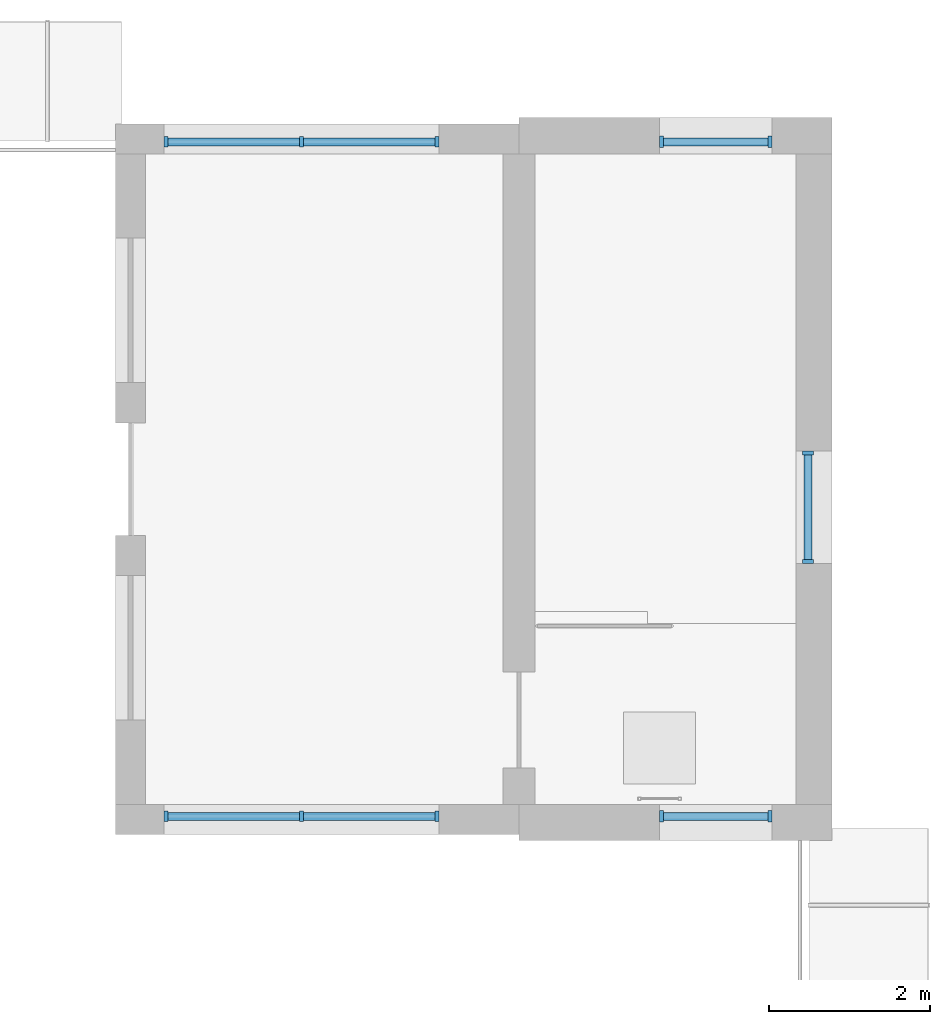
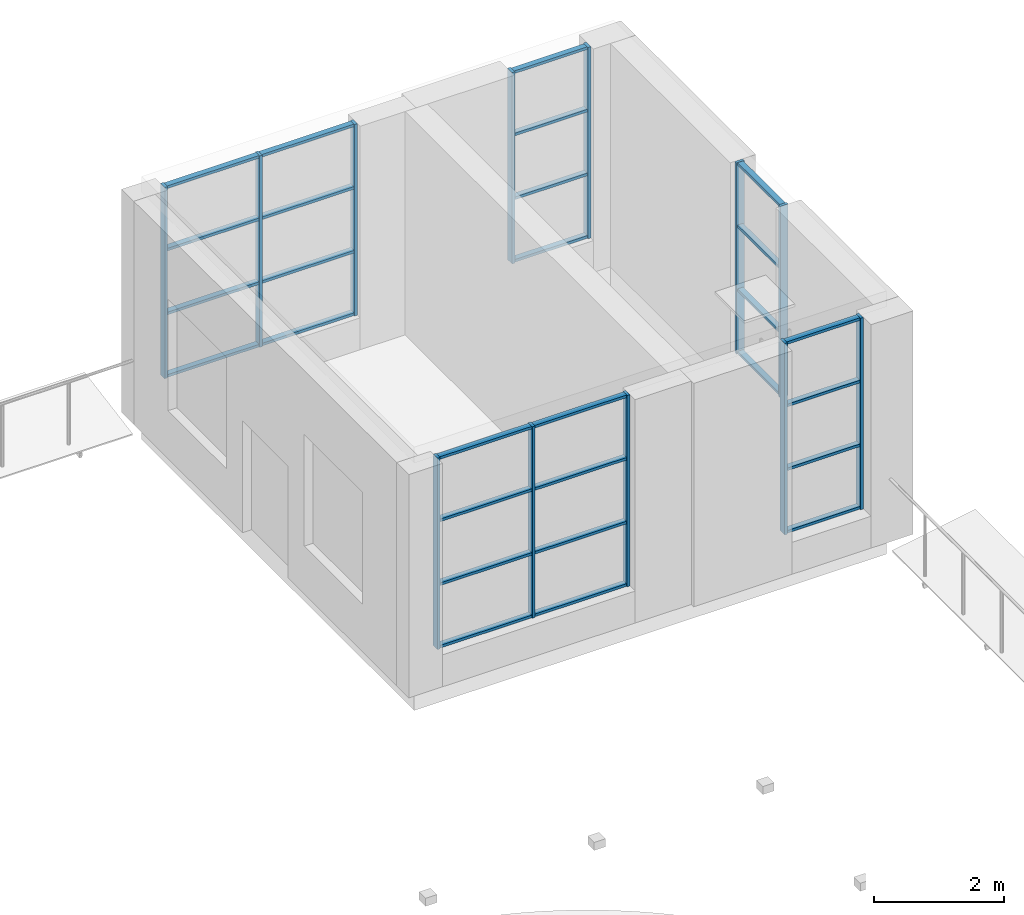
# One storey, part 24 of 66: 40 members, 5 elements without a shape of their own.
"""IFC4 building model written with IfcOpenShell, lengths in metres."""

from ifc_helpers import new_model, si_unit, direction, frame, origin, origin_2d, place, context, subcontext, project, spatial, rectangle, extrude, material, material_profile, profile_set, type_object, element, aggregate, save


model = new_model("IFC4")

# Units and contexts
model_context = context("Model", 3, precision=1e-05, world=origin(), true_north=direction((0.0, 1.0)))
body_context = subcontext(model_context, "Body", "Model", "MODEL_VIEW")
ifc_project = project(units=[si_unit("LENGTHUNIT", "METRE"), si_unit("AREAUNIT", "SQUARE_METRE"), si_unit("VOLUMEUNIT", "CUBIC_METRE"), si_unit("PLANEANGLEUNIT", "RADIAN"), si_unit("MASSUNIT", "GRAM", prefix="KILO")], contexts=[model_context])

# Site, building, storey
site_placement = place(None, origin())
site = spatial("IfcSite", under=ifc_project, at=site_placement, CompositionType="ELEMENT")
building_placement = place(site_placement, origin())
building = spatial("IfcBuilding", under=site, at=building_placement, Name="Yavir Park General Hospital", CompositionType="ELEMENT")
storey_placement = place(building_placement, frame((0.0, 0.0, 8.39990234375)))
storey = spatial("IfcBuildingStorey", under=building, at=storey_placement, Name="L02", CompositionType="ELEMENT", Elevation=8.39990234375)

# Curtain wall, members
ifc_material_1 = material(Name="Aluminium curtain wall frame with insulated glazing", Category="aluminium")
curtain_wall_type_1 = type_object("IfcCurtainWallType", Name="Clinical corridor end glazing, 3600 high, 1400 module", PredefinedType="NOTDEFINED", material=ifc_material_1)
curtain_wall_1_placement = place(storey_placement, origin())
curtain_wall_1 = element("IfcCurtainWall", 1, at=curtain_wall_1_placement, inside=storey, type_object=curtain_wall_type_1, Name="CW59 L02-014", PredefinedType="NOTDEFINED")
ifc_material_2 = material(Name="Aluminium", Category="aluminium")
ifc_material_profile_1 = material_profile(ifc_material_2, rectangle(XDim=0.1298828125, YDim=0.050048828125, at=origin_2d()), Name="AL 50x130")
ifc_profile_set_1 = profile_set([ifc_material_profile_1], Name="Aluminium")
member_type_1 = type_object("IfcMemberType", Name="Clinical corridor end glazing, 3600 high mullion 50 x 130", PredefinedType="MULLION", material=ifc_profile_set_1)
member_1_placement = place(storey_placement, frame((160.0, 109.199951171875, 0.60009765625), z_axis=(0.0, 0.0, 1.0), x_axis=(0.0, 1.0, 0.0)))
member_1 = element("IfcMember", 2, at=member_1_placement, type_object=member_type_1, Name="CW59 mullion 1", PredefinedType="MULLION", context=body_context, shape_type="SweptSolid", body=[
    extrude(rectangle(XDim=0.1298828125, YDim=0.050048828125, at=origin_2d()), origin(), (0.0, 0.0, 1.0), 3.60009765625),
])
member_2_placement = place(storey_placement, frame((161.6875, 109.199951171875, 0.60009765625), z_axis=(0.0, 0.0, 1.0), x_axis=(0.0, 1.0, 0.0)))
member_2 = element("IfcMember", 3, at=member_2_placement, type_object=member_type_1, Name="CW59 mullion 2", PredefinedType="MULLION", context=body_context, shape_type="SweptSolid", body=[
    extrude(rectangle(XDim=0.1298828125, YDim=0.050048828125, at=origin_2d()), origin(), (0.0, 0.0, 1.0), 3.60009765625),
])
member_3_placement = place(storey_placement, frame((163.375, 109.199951171875, 0.60009765625), z_axis=(0.0, 0.0, 1.0), x_axis=(0.0, 1.0, 0.0)))
member_3 = element("IfcMember", 4, at=member_3_placement, type_object=member_type_1, Name="CW59 mullion 3", PredefinedType="MULLION", context=body_context, shape_type="SweptSolid", body=[
    extrude(rectangle(XDim=0.1298828125, YDim=0.050048828125, at=origin_2d()), origin(), (0.0, 0.0, 1.0), 3.60009765625),
])

curtain_wall_2_placement = place(storey_placement, origin())
curtain_wall_2 = element("IfcCurtainWall", 5, at=curtain_wall_2_placement, inside=storey, type_object=curtain_wall_type_1, Name="CW59 L02-018", PredefinedType="NOTDEFINED")
member_4_placement = place(storey_placement, frame((160.0, 117.60009765625, 0.60009765625), z_axis=(0.0, 0.0, 1.0), x_axis=(0.0, 1.0, 0.0)))
member_4 = element("IfcMember", 6, at=member_4_placement, type_object=member_type_1, Name="CW59 mullion 1", PredefinedType="MULLION", context=body_context, shape_type="SweptSolid", body=[
    extrude(rectangle(XDim=0.1298828125, YDim=0.050048828125, at=origin_2d()), origin(), (0.0, 0.0, 1.0), 3.60009765625),
])
member_5_placement = place(storey_placement, frame((161.6875, 117.60009765625, 0.60009765625), z_axis=(0.0, 0.0, 1.0), x_axis=(0.0, 1.0, 0.0)))
member_5 = element("IfcMember", 7, at=member_5_placement, type_object=member_type_1, Name="CW59 mullion 2", PredefinedType="MULLION", context=body_context, shape_type="SweptSolid", body=[
    extrude(rectangle(XDim=0.1298828125, YDim=0.050048828125, at=origin_2d()), origin(), (0.0, 0.0, 1.0), 3.60009765625),
])
member_6_placement = place(storey_placement, frame((163.375, 117.60009765625, 0.60009765625), z_axis=(0.0, 0.0, 1.0), x_axis=(0.0, 1.0, 0.0)))
member_6 = element("IfcMember", 8, at=member_6_placement, type_object=member_type_1, Name="CW59 mullion 3", PredefinedType="MULLION", context=body_context, shape_type="SweptSolid", body=[
    extrude(rectangle(XDim=0.1298828125, YDim=0.050048828125, at=origin_2d()), origin(), (0.0, 0.0, 1.0), 3.60009765625),
])

# Member
ifc_material_3 = material(Name="Aluminium", Category="aluminium")
ifc_material_profile_2 = material_profile(ifc_material_3, rectangle(XDim=0.10009765625, YDim=0.050048828125, at=origin_2d()), Name="AL 100x50")
ifc_profile_set_2 = profile_set([ifc_material_profile_2], Name="Aluminium")
member_type_2 = type_object("IfcMemberType", Name="Clinical corridor end glazing, 3600 high transom 50 x 100", PredefinedType="MULLION", material=ifc_profile_set_2)
member_7_placement = place(storey_placement, frame((160.02490234375, 109.199951171875, 0.625), z_axis=(1.0, 0.0, 0.0), x_axis=(0.0, 1.0, 0.0)))
member_7 = element("IfcMember", 9, at=member_7_placement, type_object=member_type_2, Name="CW59 transom 1.1", PredefinedType="MULLION", context=body_context, shape_type="SweptSolid", body=[
    extrude(rectangle(XDim=0.10009765625, YDim=0.050048828125, at=origin_2d()), origin(), (0.0, 0.0, 1.0), 1.6376953125),
])

member_8_placement = place(storey_placement, frame((160.02490234375, 109.199951171875, 1.800048828125), z_axis=(1.0, 0.0, 0.0), x_axis=(0.0, 1.0, 0.0)))
member_8 = element("IfcMember", 10, at=member_8_placement, type_object=member_type_2, Name="CW59 transom 1.2", PredefinedType="MULLION", context=body_context, shape_type="SweptSolid", body=[
    extrude(rectangle(XDim=0.10009765625, YDim=0.050048828125, at=origin_2d()), origin(), (0.0, 0.0, 1.0), 1.6376953125),
])

member_9_placement = place(storey_placement, frame((160.02490234375, 109.199951171875, 3.0), z_axis=(1.0, 0.0, 0.0), x_axis=(0.0, 1.0, 0.0)))
member_9 = element("IfcMember", 11, at=member_9_placement, type_object=member_type_2, Name="CW59 transom 1.3", PredefinedType="MULLION", context=body_context, shape_type="SweptSolid", body=[
    extrude(rectangle(XDim=0.10009765625, YDim=0.050048828125, at=origin_2d()), origin(), (0.0, 0.0, 1.0), 1.6376953125),
])

member_10_placement = place(storey_placement, frame((160.02490234375, 109.199951171875, 4.175048828125), z_axis=(1.0, 0.0, 0.0), x_axis=(0.0, 1.0, 0.0)))
member_10 = element("IfcMember", 12, at=member_10_placement, type_object=member_type_2, Name="CW59 transom 1.4", PredefinedType="MULLION", context=body_context, shape_type="SweptSolid", body=[
    extrude(rectangle(XDim=0.10009765625, YDim=0.050048828125, at=origin_2d()), origin(), (0.0, 0.0, 1.0), 1.6376953125),
])

member_11_placement = place(storey_placement, frame((161.71240234375, 109.199951171875, 0.625), z_axis=(1.0, 0.0, 0.0), x_axis=(0.0, 1.0, 0.0)))
member_11 = element("IfcMember", 13, at=member_11_placement, type_object=member_type_2, Name="CW59 transom 2.1", PredefinedType="MULLION", context=body_context, shape_type="SweptSolid", body=[
    extrude(rectangle(XDim=0.10009765625, YDim=0.050048828125, at=origin_2d()), origin(), (0.0, 0.0, 1.0), 1.6376953125),
])

member_12_placement = place(storey_placement, frame((161.71240234375, 109.199951171875, 1.800048828125), z_axis=(1.0, 0.0, 0.0), x_axis=(0.0, 1.0, 0.0)))
member_12 = element("IfcMember", 14, at=member_12_placement, type_object=member_type_2, Name="CW59 transom 2.2", PredefinedType="MULLION", context=body_context, shape_type="SweptSolid", body=[
    extrude(rectangle(XDim=0.10009765625, YDim=0.050048828125, at=origin_2d()), origin(), (0.0, 0.0, 1.0), 1.6376953125),
])

member_13_placement = place(storey_placement, frame((161.71240234375, 109.199951171875, 3.0), z_axis=(1.0, 0.0, 0.0), x_axis=(0.0, 1.0, 0.0)))
member_13 = element("IfcMember", 15, at=member_13_placement, type_object=member_type_2, Name="CW59 transom 2.3", PredefinedType="MULLION", context=body_context, shape_type="SweptSolid", body=[
    extrude(rectangle(XDim=0.10009765625, YDim=0.050048828125, at=origin_2d()), origin(), (0.0, 0.0, 1.0), 1.6376953125),
])

member_14_placement = place(storey_placement, frame((161.71240234375, 109.199951171875, 4.175048828125), z_axis=(1.0, 0.0, 0.0), x_axis=(0.0, 1.0, 0.0)))
member_14 = element("IfcMember", 16, at=member_14_placement, type_object=member_type_2, Name="CW59 transom 2.4", PredefinedType="MULLION", context=body_context, shape_type="SweptSolid", body=[
    extrude(rectangle(XDim=0.10009765625, YDim=0.050048828125, at=origin_2d()), origin(), (0.0, 0.0, 1.0), 1.6376953125),
])

aggregate(curtain_wall_1, [member_1, member_2, member_3, member_7, member_8, member_9, member_10, member_11, member_12, member_13, member_14])

member_15_placement = place(storey_placement, frame((160.02490234375, 117.60009765625, 0.625), z_axis=(1.0, 0.0, 0.0), x_axis=(0.0, 1.0, 0.0)))
member_15 = element("IfcMember", 17, at=member_15_placement, type_object=member_type_2, Name="CW59 transom 1.1", PredefinedType="MULLION", context=body_context, shape_type="SweptSolid", body=[
    extrude(rectangle(XDim=0.10009765625, YDim=0.050048828125, at=origin_2d()), origin(), (0.0, 0.0, 1.0), 1.6376953125),
])

member_16_placement = place(storey_placement, frame((160.02490234375, 117.60009765625, 1.800048828125), z_axis=(1.0, 0.0, 0.0), x_axis=(0.0, 1.0, 0.0)))
member_16 = element("IfcMember", 18, at=member_16_placement, type_object=member_type_2, Name="CW59 transom 1.2", PredefinedType="MULLION", context=body_context, shape_type="SweptSolid", body=[
    extrude(rectangle(XDim=0.10009765625, YDim=0.050048828125, at=origin_2d()), origin(), (0.0, 0.0, 1.0), 1.6376953125),
])

member_17_placement = place(storey_placement, frame((160.02490234375, 117.60009765625, 3.0), z_axis=(1.0, 0.0, 0.0), x_axis=(0.0, 1.0, 0.0)))
member_17 = element("IfcMember", 19, at=member_17_placement, type_object=member_type_2, Name="CW59 transom 1.3", PredefinedType="MULLION", context=body_context, shape_type="SweptSolid", body=[
    extrude(rectangle(XDim=0.10009765625, YDim=0.050048828125, at=origin_2d()), origin(), (0.0, 0.0, 1.0), 1.6376953125),
])

member_18_placement = place(storey_placement, frame((160.02490234375, 117.60009765625, 4.175048828125), z_axis=(1.0, 0.0, 0.0), x_axis=(0.0, 1.0, 0.0)))
member_18 = element("IfcMember", 20, at=member_18_placement, type_object=member_type_2, Name="CW59 transom 1.4", PredefinedType="MULLION", context=body_context, shape_type="SweptSolid", body=[
    extrude(rectangle(XDim=0.10009765625, YDim=0.050048828125, at=origin_2d()), origin(), (0.0, 0.0, 1.0), 1.6376953125),
])

member_19_placement = place(storey_placement, frame((161.71240234375, 117.60009765625, 0.625), z_axis=(1.0, 0.0, 0.0), x_axis=(0.0, 1.0, 0.0)))
member_19 = element("IfcMember", 21, at=member_19_placement, type_object=member_type_2, Name="CW59 transom 2.1", PredefinedType="MULLION", context=body_context, shape_type="SweptSolid", body=[
    extrude(rectangle(XDim=0.10009765625, YDim=0.050048828125, at=origin_2d()), origin(), (0.0, 0.0, 1.0), 1.6376953125),
])

member_20_placement = place(storey_placement, frame((161.71240234375, 117.60009765625, 1.800048828125), z_axis=(1.0, 0.0, 0.0), x_axis=(0.0, 1.0, 0.0)))
member_20 = element("IfcMember", 22, at=member_20_placement, type_object=member_type_2, Name="CW59 transom 2.2", PredefinedType="MULLION", context=body_context, shape_type="SweptSolid", body=[
    extrude(rectangle(XDim=0.10009765625, YDim=0.050048828125, at=origin_2d()), origin(), (0.0, 0.0, 1.0), 1.6376953125),
])

member_21_placement = place(storey_placement, frame((161.71240234375, 117.60009765625, 3.0), z_axis=(1.0, 0.0, 0.0), x_axis=(0.0, 1.0, 0.0)))
member_21 = element("IfcMember", 23, at=member_21_placement, type_object=member_type_2, Name="CW59 transom 2.3", PredefinedType="MULLION", context=body_context, shape_type="SweptSolid", body=[
    extrude(rectangle(XDim=0.10009765625, YDim=0.050048828125, at=origin_2d()), origin(), (0.0, 0.0, 1.0), 1.6376953125),
])

member_22_placement = place(storey_placement, frame((161.71240234375, 117.60009765625, 4.175048828125), z_axis=(1.0, 0.0, 0.0), x_axis=(0.0, 1.0, 0.0)))
member_22 = element("IfcMember", 24, at=member_22_placement, type_object=member_type_2, Name="CW59 transom 2.4", PredefinedType="MULLION", context=body_context, shape_type="SweptSolid", body=[
    extrude(rectangle(XDim=0.10009765625, YDim=0.050048828125, at=origin_2d()), origin(), (0.0, 0.0, 1.0), 1.6376953125),
])

aggregate(curtain_wall_2, [member_4, member_5, member_6, member_15, member_16, member_17, member_18, member_19, member_20, member_21, member_22])

# Curtain wall, members
ifc_material_4 = material(Name="Aluminium curtain wall frame with insulated glazing", Category="aluminium")
curtain_wall_type_2 = type_object("IfcCurtainWallType", Name="Stair light slot, podium, 3600 high, 1400 module", PredefinedType="NOTDEFINED", material=ifc_material_4)
curtain_wall_3_placement = place(storey_placement, origin())
curtain_wall_3 = element("IfcCurtainWall", 25, at=curtain_wall_3_placement, inside=storey, type_object=curtain_wall_type_2, Name="CW57 L02-015", PredefinedType="NOTDEFINED")
ifc_material_5 = material(Name="Aluminium", Category="aluminium")
ifc_material_profile_3 = material_profile(ifc_material_5, rectangle(XDim=0.139892578125, YDim=0.050048828125, at=origin_2d()), Name="AL 50x140")
ifc_profile_set_3 = profile_set([ifc_material_profile_3], Name="Aluminium")
member_type_3 = type_object("IfcMemberType", Name="Stair light slot, podium, 3600 high mullion 50 x 140", PredefinedType="MULLION", material=ifc_profile_set_3)
member_23_placement = place(storey_placement, frame((166.175048828125, 109.199951171875, 0.60009765625), z_axis=(0.0, 0.0, 1.0), x_axis=(0.0, 1.0, 0.0)))
member_23 = element("IfcMember", 26, at=member_23_placement, type_object=member_type_3, Name="CW57 mullion 1", PredefinedType="MULLION", context=body_context, shape_type="SweptSolid", body=[
    extrude(rectangle(XDim=0.139892578125, YDim=0.050048828125, at=origin_2d()), origin(), (0.0, 0.0, 1.0), 3.60009765625),
])
member_24_placement = place(storey_placement, frame((167.52490234375, 109.199951171875, 0.60009765625), z_axis=(0.0, 0.0, 1.0), x_axis=(0.0, 1.0, 0.0)))
member_24 = element("IfcMember", 27, at=member_24_placement, type_object=member_type_3, Name="CW57 mullion 2", PredefinedType="MULLION", context=body_context, shape_type="SweptSolid", body=[
    extrude(rectangle(XDim=0.139892578125, YDim=0.050048828125, at=origin_2d()), origin(), (0.0, 0.0, 1.0), 3.60009765625),
])

curtain_wall_4_placement = place(storey_placement, origin())
curtain_wall_4 = element("IfcCurtainWall", 28, at=curtain_wall_4_placement, inside=storey, type_object=curtain_wall_type_2, Name="CW57 L02-019", PredefinedType="NOTDEFINED")
member_25_placement = place(storey_placement, frame((166.175048828125, 117.60009765625, 0.60009765625), z_axis=(0.0, 0.0, 1.0), x_axis=(0.0, 1.0, 0.0)))
member_25 = element("IfcMember", 29, at=member_25_placement, type_object=member_type_3, Name="CW57 mullion 1", PredefinedType="MULLION", context=body_context, shape_type="SweptSolid", body=[
    extrude(rectangle(XDim=0.139892578125, YDim=0.050048828125, at=origin_2d()), origin(), (0.0, 0.0, 1.0), 3.60009765625),
])
member_26_placement = place(storey_placement, frame((167.52490234375, 117.60009765625, 0.60009765625), z_axis=(0.0, 0.0, 1.0), x_axis=(0.0, 1.0, 0.0)))
member_26 = element("IfcMember", 30, at=member_26_placement, type_object=member_type_3, Name="CW57 mullion 2", PredefinedType="MULLION", context=body_context, shape_type="SweptSolid", body=[
    extrude(rectangle(XDim=0.139892578125, YDim=0.050048828125, at=origin_2d()), origin(), (0.0, 0.0, 1.0), 3.60009765625),
])

curtain_wall_5_placement = place(storey_placement, origin())
curtain_wall_5 = element("IfcCurtainWall", 31, at=curtain_wall_5_placement, inside=storey, type_object=curtain_wall_type_2, Name="CW57 L02-027", PredefinedType="NOTDEFINED")
member_27_placement = place(storey_placement, frame((168.0, 112.375, 0.60009765625), z_axis=(0.0, 0.0, 1.0), x_axis=(-1.0, 0.0, 0.0)))
member_27 = element("IfcMember", 32, at=member_27_placement, type_object=member_type_3, Name="CW57 mullion 1", PredefinedType="MULLION", context=body_context, shape_type="SweptSolid", body=[
    extrude(rectangle(XDim=0.139892578125, YDim=0.050048828125, at=origin_2d()), origin(), (0.0, 0.0, 1.0), 3.60009765625),
])
member_28_placement = place(storey_placement, frame((168.0, 113.72509765625, 0.60009765625), z_axis=(0.0, 0.0, 1.0), x_axis=(-1.0, 0.0, 0.0)))
member_28 = element("IfcMember", 33, at=member_28_placement, type_object=member_type_3, Name="CW57 mullion 2", PredefinedType="MULLION", context=body_context, shape_type="SweptSolid", body=[
    extrude(rectangle(XDim=0.139892578125, YDim=0.050048828125, at=origin_2d()), origin(), (0.0, 0.0, 1.0), 3.60009765625),
])

# Member
ifc_material_6 = material(Name="Aluminium", Category="aluminium")
ifc_material_profile_4 = material_profile(ifc_material_6, rectangle(XDim=0.10009765625, YDim=0.050048828125, at=origin_2d()), Name="AL 100x50")
ifc_profile_set_4 = profile_set([ifc_material_profile_4], Name="Aluminium")
member_type_4 = type_object("IfcMemberType", Name="Stair light slot, podium, 3600 high transom 50 x 100", PredefinedType="MULLION", material=ifc_profile_set_4)
member_29_placement = place(storey_placement, frame((166.199951171875, 109.199951171875, 0.625), z_axis=(1.0, 0.0, 0.0), x_axis=(0.0, 1.0, 0.0)))
member_29 = element("IfcMember", 34, at=member_29_placement, type_object=member_type_4, Name="CW57 transom 1.1", PredefinedType="MULLION", context=body_context, shape_type="SweptSolid", body=[
    extrude(rectangle(XDim=0.10009765625, YDim=0.050048828125, at=origin_2d()), origin(), (0.0, 0.0, 1.0), 1.300048828125),
])

member_30_placement = place(storey_placement, frame((166.199951171875, 109.199951171875, 1.800048828125), z_axis=(1.0, 0.0, 0.0), x_axis=(0.0, 1.0, 0.0)))
member_30 = element("IfcMember", 35, at=member_30_placement, type_object=member_type_4, Name="CW57 transom 1.2", PredefinedType="MULLION", context=body_context, shape_type="SweptSolid", body=[
    extrude(rectangle(XDim=0.10009765625, YDim=0.050048828125, at=origin_2d()), origin(), (0.0, 0.0, 1.0), 1.300048828125),
])

member_31_placement = place(storey_placement, frame((166.199951171875, 109.199951171875, 3.0), z_axis=(1.0, 0.0, 0.0), x_axis=(0.0, 1.0, 0.0)))
member_31 = element("IfcMember", 36, at=member_31_placement, type_object=member_type_4, Name="CW57 transom 1.3", PredefinedType="MULLION", context=body_context, shape_type="SweptSolid", body=[
    extrude(rectangle(XDim=0.10009765625, YDim=0.050048828125, at=origin_2d()), origin(), (0.0, 0.0, 1.0), 1.300048828125),
])

member_32_placement = place(storey_placement, frame((166.199951171875, 109.199951171875, 4.175048828125), z_axis=(1.0, 0.0, 0.0), x_axis=(0.0, 1.0, 0.0)))
member_32 = element("IfcMember", 37, at=member_32_placement, type_object=member_type_4, Name="CW57 transom 1.4", PredefinedType="MULLION", context=body_context, shape_type="SweptSolid", body=[
    extrude(rectangle(XDim=0.10009765625, YDim=0.050048828125, at=origin_2d()), origin(), (0.0, 0.0, 1.0), 1.300048828125),
])

aggregate(curtain_wall_3, [member_23, member_24, member_29, member_30, member_31, member_32])

member_33_placement = place(storey_placement, frame((166.199951171875, 117.60009765625, 0.625), z_axis=(1.0, 0.0, 0.0), x_axis=(0.0, 1.0, 0.0)))
member_33 = element("IfcMember", 38, at=member_33_placement, type_object=member_type_4, Name="CW57 transom 1.1", PredefinedType="MULLION", context=body_context, shape_type="SweptSolid", body=[
    extrude(rectangle(XDim=0.10009765625, YDim=0.050048828125, at=origin_2d()), origin(), (0.0, 0.0, 1.0), 1.300048828125),
])

member_34_placement = place(storey_placement, frame((166.199951171875, 117.60009765625, 1.800048828125), z_axis=(1.0, 0.0, 0.0), x_axis=(0.0, 1.0, 0.0)))
member_34 = element("IfcMember", 39, at=member_34_placement, type_object=member_type_4, Name="CW57 transom 1.2", PredefinedType="MULLION", context=body_context, shape_type="SweptSolid", body=[
    extrude(rectangle(XDim=0.10009765625, YDim=0.050048828125, at=origin_2d()), origin(), (0.0, 0.0, 1.0), 1.300048828125),
])

member_35_placement = place(storey_placement, frame((166.199951171875, 117.60009765625, 3.0), z_axis=(1.0, 0.0, 0.0), x_axis=(0.0, 1.0, 0.0)))
member_35 = element("IfcMember", 40, at=member_35_placement, type_object=member_type_4, Name="CW57 transom 1.3", PredefinedType="MULLION", context=body_context, shape_type="SweptSolid", body=[
    extrude(rectangle(XDim=0.10009765625, YDim=0.050048828125, at=origin_2d()), origin(), (0.0, 0.0, 1.0), 1.300048828125),
])

member_36_placement = place(storey_placement, frame((166.199951171875, 117.60009765625, 4.175048828125), z_axis=(1.0, 0.0, 0.0), x_axis=(0.0, 1.0, 0.0)))
member_36 = element("IfcMember", 41, at=member_36_placement, type_object=member_type_4, Name="CW57 transom 1.4", PredefinedType="MULLION", context=body_context, shape_type="SweptSolid", body=[
    extrude(rectangle(XDim=0.10009765625, YDim=0.050048828125, at=origin_2d()), origin(), (0.0, 0.0, 1.0), 1.300048828125),
])

aggregate(curtain_wall_4, [member_25, member_26, member_33, member_34, member_35, member_36])

member_37_placement = place(storey_placement, frame((168.0, 112.39990234375, 0.625), z_axis=(0.0, 1.0, 0.0), x_axis=(-1.0, 0.0, 0.0)))
member_37 = element("IfcMember", 42, at=member_37_placement, type_object=member_type_4, Name="CW57 transom 1.1", PredefinedType="MULLION", context=body_context, shape_type="SweptSolid", body=[
    extrude(rectangle(XDim=0.10009765625, YDim=0.050048828125, at=origin_2d()), origin(), (0.0, 0.0, 1.0), 1.300048828125),
])

member_38_placement = place(storey_placement, frame((168.0, 112.39990234375, 1.800048828125), z_axis=(0.0, 1.0, 0.0), x_axis=(-1.0, 0.0, 0.0)))
member_38 = element("IfcMember", 43, at=member_38_placement, type_object=member_type_4, Name="CW57 transom 1.2", PredefinedType="MULLION", context=body_context, shape_type="SweptSolid", body=[
    extrude(rectangle(XDim=0.10009765625, YDim=0.050048828125, at=origin_2d()), origin(), (0.0, 0.0, 1.0), 1.300048828125),
])

member_39_placement = place(storey_placement, frame((168.0, 112.39990234375, 3.0), z_axis=(0.0, 1.0, 0.0), x_axis=(-1.0, 0.0, 0.0)))
member_39 = element("IfcMember", 44, at=member_39_placement, type_object=member_type_4, Name="CW57 transom 1.3", PredefinedType="MULLION", context=body_context, shape_type="SweptSolid", body=[
    extrude(rectangle(XDim=0.10009765625, YDim=0.050048828125, at=origin_2d()), origin(), (0.0, 0.0, 1.0), 1.300048828125),
])

member_40_placement = place(storey_placement, frame((168.0, 112.39990234375, 4.175048828125), z_axis=(0.0, 1.0, 0.0), x_axis=(-1.0, 0.0, 0.0)))
member_40 = element("IfcMember", 45, at=member_40_placement, type_object=member_type_4, Name="CW57 transom 1.4", PredefinedType="MULLION", context=body_context, shape_type="SweptSolid", body=[
    extrude(rectangle(XDim=0.10009765625, YDim=0.050048828125, at=origin_2d()), origin(), (0.0, 0.0, 1.0), 1.300048828125),
])

aggregate(curtain_wall_5, [member_27, member_28, member_37, member_38, member_39, member_40])

save(model, "model.ifc")
